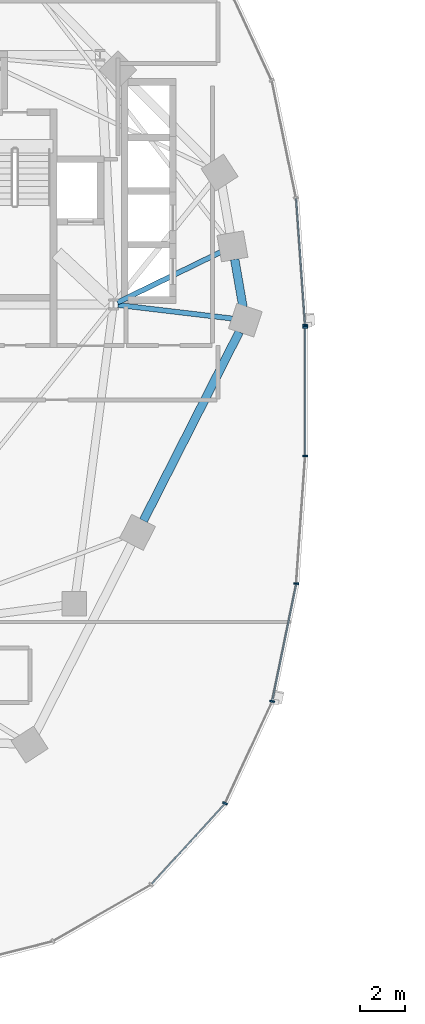
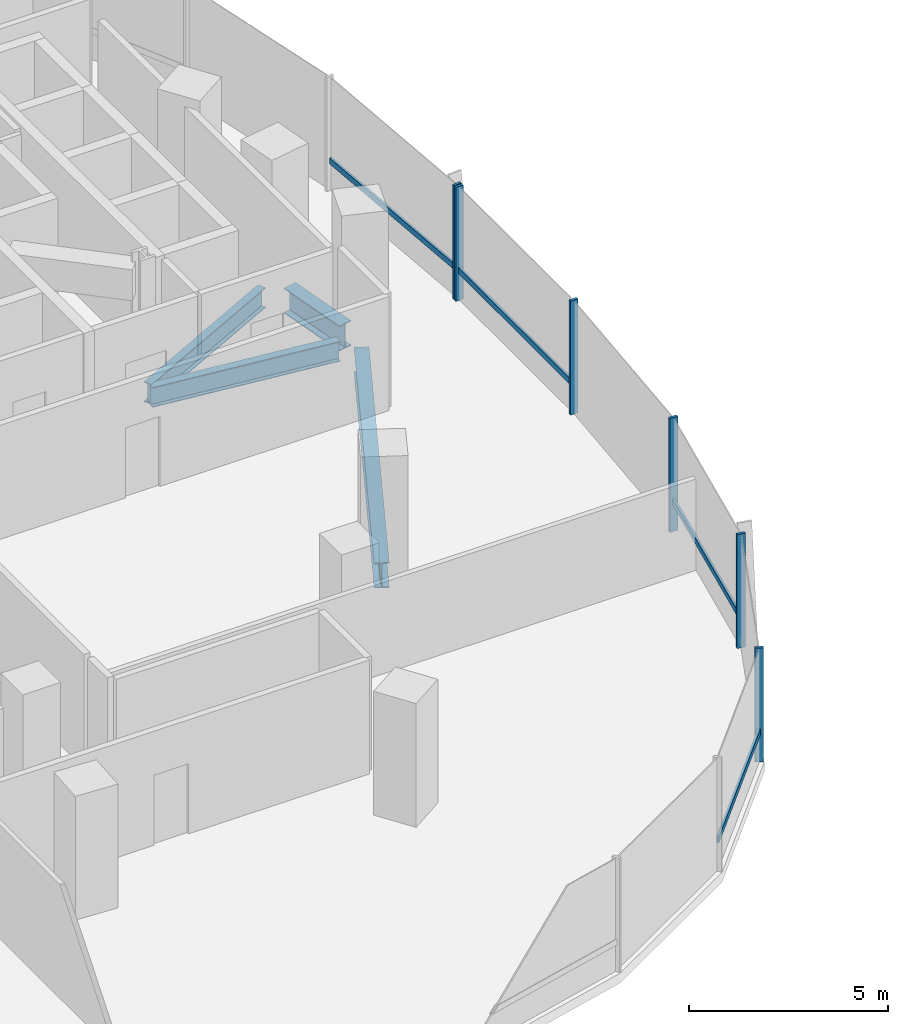
# One storey, part 3 of 21: 10 members, 4 beams, 2 elements without a shape of their own.
"""IFC4 building model written with IfcOpenShell, lengths in metres."""

from ifc_helpers import new_model, si_unit, direction, frame, origin, origin_2d, place, context, subcontext, project, spatial, rectangle, i_section, extrude, material, material_profile, profile_set, type_object, element, aggregate, save


model = new_model("IFC4")

# Units and contexts
model_context = context("Model", 3, precision=1e-05, world=origin(), true_north=direction((0.0, 1.0)))
body_context = subcontext(model_context, "Body", "Model", "MODEL_VIEW")
ifc_project = project(units=[si_unit("LENGTHUNIT", "METRE"), si_unit("AREAUNIT", "SQUARE_METRE"), si_unit("VOLUMEUNIT", "CUBIC_METRE"), si_unit("PLANEANGLEUNIT", "RADIAN"), si_unit("MASSUNIT", "GRAM", prefix="KILO"), si_unit("THERMODYNAMICTEMPERATUREUNIT", "KELVIN"), si_unit("POWERUNIT", "WATT")], contexts=[model_context])

# Site, building, storey
site_placement = place(None, origin())
site = spatial("IfcSite", under=ifc_project, at=site_placement, CompositionType="ELEMENT")
building_placement = place(site_placement, origin())
building = spatial("IfcBuilding", under=site, at=building_placement, Name="Cundina Bronze Exchange", CompositionType="ELEMENT")
storey_placement = place(building_placement, frame((0.0, 0.0, 50.60009765625)))
storey = spatial("IfcBuildingStorey", under=building, at=storey_placement, Name="L12", CompositionType="ELEMENT", Elevation=50.60009765625)

# Beams
ifc_material_1 = material(Name="Steel ASTM A992 Grade 50", Category="steel")
ifc_material_profile_1 = material_profile(ifc_material_1, i_section(OverallWidth=0.22998046875, OverallDepth=0.616943359375, WebThickness=0.01318359375, FlangeThickness=0.022216796875, FilletRadius=0.013916015625, at=origin_2d()), Name="W24X94", Category="steel")
ifc_profile_set_1 = profile_set([ifc_material_profile_1], Name="Steel ASTM A992 Grade 50")
beam_type_1 = type_object("IfcBeamType", Name="BM-FLR-W24B", PredefinedType="BEAM", material=ifc_profile_set_1)
beam_1_placement = place(storey_placement, frame((-21.247314453125, 3.8759765625, -0.608642578125), z_axis=(0.993035236117, -0.117817739878, 0.0), x_axis=(0.117817739878, 0.993035236117, 0.0)))
element("IfcBeam", 1, at=beam_1_placement, inside=storey, type_object=beam_type_1, Name="L12 Leg W Radial Floor Beam 00", PredefinedType="BEAM", context=body_context, shape_type="SweptSolid", body=[
    extrude(i_section(OverallWidth=0.22998046875, OverallDepth=0.616943359375, WebThickness=0.01318359375, FlangeThickness=0.022216796875, FilletRadius=0.013916015625, at=origin_2d()), origin(), (0.0, 0.0, 1.0), 5.1494140625),
])
beam_2_placement = place(storey_placement, frame((-21.2666015625, 3.989501953125, -0.608642578125), z_axis=(0.898610249448, 0.438747785849, 0.0), x_axis=(-0.438747785849, 0.898610249448, 0.0)))
element("IfcBeam", 2, at=beam_2_placement, inside=storey, type_object=beam_type_1, Name="L12 Leg W Radial Floor Beam 01", PredefinedType="BEAM", context=body_context, shape_type="SweptSolid", body=[
    extrude(i_section(OverallWidth=0.22998046875, OverallDepth=0.616943359375, WebThickness=0.01318359375, FlangeThickness=0.022216796875, FilletRadius=0.013916015625, at=origin_2d()), origin(), (0.0, 0.0, 1.0), 5.1337890625),
])
ifc_material_profile_2 = material_profile(ifc_material_1, i_section(OverallWidth=0.381103515625, OverallDepth=0.77294921875, WebThickness=0.0166015625, FlangeThickness=0.027099609375, FilletRadius=0.01904296875, at=origin_2d()), Name="W30X173", Category="steel")
ifc_profile_set_2 = profile_set([ifc_material_profile_2], Name="Steel ASTM A992 Grade 50")
beam_type_2 = type_object("IfcBeamType", Name="BM-RING-W30", PredefinedType="USERDEFINED", material=ifc_profile_set_2)
beam_3_placement = place(storey_placement, frame((-15.65087890625, 3.779296875, -0.6865234375), z_axis=(-0.171734584051, 0.985143254883, 0.0), x_axis=(-0.985143254883, -0.171734584051, 0.0)))
element("IfcBeam", 3, at=beam_3_placement, inside=storey, type_object=beam_type_2, Name="L12 W Perimeter Ring Girder 00", ObjectType="GIRDER", PredefinedType="USERDEFINED", context=body_context, shape_type="SweptSolid", body=[
    extrude(i_section(OverallWidth=0.381103515625, OverallDepth=0.77294921875, WebThickness=0.0166015625, FlangeThickness=0.027099609375, FilletRadius=0.01904296875, at=origin_2d()), origin(), (0.0, 0.0, 1.0), 2.173583984375),
])
beam_4_placement = place(storey_placement, frame((-20.108642578125, -5.775634765625, -0.6865234375), z_axis=(0.452819633606, 0.891602141889, 0.0), x_axis=(-0.891602141889, 0.452819633606, 0.0)))
element("IfcBeam", 4, at=beam_4_placement, inside=storey, type_object=beam_type_2, Name="L12 W Perimeter Ring Girder 13", ObjectType="GIRDER", PredefinedType="USERDEFINED", context=body_context, shape_type="SweptSolid", body=[
    extrude(i_section(OverallWidth=0.381103515625, OverallDepth=0.77294921875, WebThickness=0.0166015625, FlangeThickness=0.027099609375, FilletRadius=0.01904296875, at=origin_2d()), origin(), (0.0, 0.0, 1.0), 9.47900390625),
])

# Curtain wall, member
ifc_material_2 = material(Name="Anodised Bronze Aluminium 6063-T6", Category="aluminium")
curtain_wall_type = type_object("IfcCurtainWallType", Name="CWS-TRD-LOW", PredefinedType="NOTDEFINED", material=ifc_material_2)
curtain_wall_1_placement = place(storey_placement, origin())
curtain_wall_1 = element("IfcCurtainWall", 5, at=curtain_wall_1_placement, inside=storey, type_object=curtain_wall_type, Name="L12 CW-02 Curtain Wall Run CWR-L12-W1", PredefinedType="NOTDEFINED")
ifc_material_profile_3 = material_profile(ifc_material_2, rectangle(XDim=0.074951171875, YDim=0.219970703125, at=origin_2d()), Name="AL75X220", Category="aluminium")
ifc_profile_set_3 = profile_set([ifc_material_profile_3], Name="Anodised Bronze Aluminium 6063-T6")
member_type_1 = type_object("IfcMemberType", Name="CWM-MUL-220", PredefinedType="MULLION", material=ifc_profile_set_3)
member_1_placement = place(storey_placement, frame((-12.87548828125, 2.976318359375, 0.0), z_axis=(0.0, 0.0, 1.0), x_axis=(-0.070278787473, 0.997527389113, 0.0)))
member_1 = element("IfcMember", 6, at=member_1_placement, type_object=member_type_1, Name="CW-02 Mullion 1", PredefinedType="MULLION", context=body_context, shape_type="SweptSolid", body=[
    extrude(rectangle(XDim=0.074951171875, YDim=0.219970703125, at=origin_2d()), origin(), (0.0, 0.0, 1.0), 3.5),
])

# Curtain wall, members
curtain_wall_2_placement = place(storey_placement, origin())
curtain_wall_2 = element("IfcCurtainWall", 7, at=curtain_wall_2_placement, inside=storey, type_object=curtain_wall_type, Name="L12 CW-02 Curtain Wall Run CWR-L12-W4", PredefinedType="NOTDEFINED")
member_2_placement = place(storey_placement, frame((-16.455810546875, -18.423583984375, 0.0), z_axis=(0.0, 0.0, 1.0), x_axis=(0.42087749791, 0.907117485088, 0.0)))
member_2 = element("IfcMember", 8, at=member_2_placement, type_object=member_type_1, Name="CW-02 Mullion 4", PredefinedType="MULLION", context=body_context, shape_type="SweptSolid", body=[
    extrude(rectangle(XDim=0.074951171875, YDim=0.219970703125, at=origin_2d()), origin(), (0.0, 0.0, 1.0), 3.5),
])
member_3_placement = place(storey_placement, frame((-14.348876953125, -13.861328125, 0.0), z_axis=(0.0, 0.0, 1.0), x_axis=(0.201419845156, 0.979505000486, 0.0)))
member_3 = element("IfcMember", 9, at=member_3_placement, type_object=member_type_1, Name="CW-02 Mullion 5", PredefinedType="MULLION", context=body_context, shape_type="SweptSolid", body=[
    extrude(rectangle(XDim=0.074951171875, YDim=0.219970703125, at=origin_2d()), origin(), (0.0, 0.0, 1.0), 3.5),
])
member_4_placement = place(storey_placement, frame((-13.27099609375, -8.591552734375, 0.0), z_axis=(0.0, 0.0, 1.0), x_axis=(0.070278787473, 0.997527389113, 0.0)))
member_4 = element("IfcMember", 10, at=member_4_placement, type_object=member_type_1, Name="CW-02 Mullion 6", PredefinedType="MULLION", context=body_context, shape_type="SweptSolid", body=[
    extrude(rectangle(XDim=0.074951171875, YDim=0.219970703125, at=origin_2d()), origin(), (0.0, 0.0, 1.0), 3.5),
])
member_5_placement = place(storey_placement, frame((-12.8720703125, -2.880615234375, 0.0), z_axis=(0.0, 0.0, 1.0), x_axis=(0.0, 1.0, 0.0)))
member_5 = element("IfcMember", 11, at=member_5_placement, type_object=member_type_1, Name="CW-02 Mullion 7", PredefinedType="MULLION", context=body_context, shape_type="SweptSolid", body=[
    extrude(rectangle(XDim=0.074951171875, YDim=0.219970703125, at=origin_2d()), origin(), (0.0, 0.0, 1.0), 3.5),
])
member_6_placement = place(storey_placement, frame((-12.8720703125, 2.880615234375, 0.0), z_axis=(0.0, 0.0, 1.0), x_axis=(0.0, 1.0, 0.0)))
member_6 = element("IfcMember", 12, at=member_6_placement, type_object=member_type_1, Name="CW-02 End Mullion", PredefinedType="MULLION", context=body_context, shape_type="SweptSolid", body=[
    extrude(rectangle(XDim=0.074951171875, YDim=0.219970703125, at=origin_2d()), origin(), (0.0, 0.0, 1.0), 3.5),
])

# Member
ifc_material_profile_4 = material_profile(ifc_material_2, rectangle(XDim=0.070068359375, YDim=0.179931640625, at=origin_2d()), Name="AL70X180", Category="aluminium")
ifc_profile_set_4 = profile_set([ifc_material_profile_4], Name="Anodised Bronze Aluminium 6063-T6")
member_type_2 = type_object("IfcMemberType", Name="CWM-TRN-180", PredefinedType="USERDEFINED", material=ifc_profile_set_4)
member_7_placement = place(storey_placement, frame((-12.87841796875, 3.017333984375, 0.919921875), z_axis=(-0.070260714471, 0.997528662246, 0.0), x_axis=(-0.997528662246, -0.070260714471, 0.0)))
member_7 = element("IfcMember", 13, at=member_7_placement, type_object=member_type_2, Name="CW-02 Spandrel Transom 1", ObjectType="TRANSOM", PredefinedType="USERDEFINED", context=body_context, shape_type="SweptSolid", body=[
    extrude(rectangle(XDim=0.070068359375, YDim=0.179931640625, at=origin_2d()), origin(), (0.0, 0.0, 1.0), 5.629150390625),
])

aggregate(curtain_wall_1, [member_1, member_7])

member_8_placement = place(storey_placement, frame((-19.73291015625, -22.027099609375, 0.919921875), z_axis=(0.674302794847, 0.738454968743, 0.0), x_axis=(-0.738454968743, 0.674302794847, 0.0)))
member_8 = element("IfcMember", 14, at=member_8_placement, type_object=member_type_2, Name="CW-02 Spandrel Transom 3", ObjectType="TRANSOM", PredefinedType="USERDEFINED", context=body_context, shape_type="SweptSolid", body=[
    extrude(rectangle(XDim=0.070068359375, YDim=0.179931640625, at=origin_2d()), origin(), (0.0, 0.0, 1.0), 4.848388671875),
])

member_9_placement = place(storey_placement, frame((-14.340576171875, -13.821044921875, 0.919921875), z_axis=(0.201427712708, 0.979503382615, 0.0), x_axis=(-0.979503382615, 0.201427712708, 0.0)))
member_9 = element("IfcMember", 15, at=member_9_placement, type_object=member_type_2, Name="CW-02 Spandrel Transom 5", ObjectType="TRANSOM", PredefinedType="USERDEFINED", context=body_context, shape_type="SweptSolid", body=[
    extrude(rectangle(XDim=0.070068359375, YDim=0.179931640625, at=origin_2d()), origin(), (0.0, 0.0, 1.0), 5.291748046875),
])

member_10_placement = place(storey_placement, frame((-12.8720703125, -2.839111328125, 0.919921875), z_axis=(0.0, 1.0, 0.0), x_axis=(-1.0, 0.0, 0.0)))
member_10 = element("IfcMember", 16, at=member_10_placement, type_object=member_type_2, Name="CW-02 Spandrel Transom 7", ObjectType="TRANSOM", PredefinedType="USERDEFINED", context=body_context, shape_type="SweptSolid", body=[
    extrude(rectangle(XDim=0.070068359375, YDim=0.179931640625, at=origin_2d()), origin(), (0.0, 0.0, 1.0), 5.67822265625),
])

aggregate(curtain_wall_2, [member_8, member_2, member_3, member_9, member_4, member_5, member_6, member_10])

save(model, "model.ifc")
